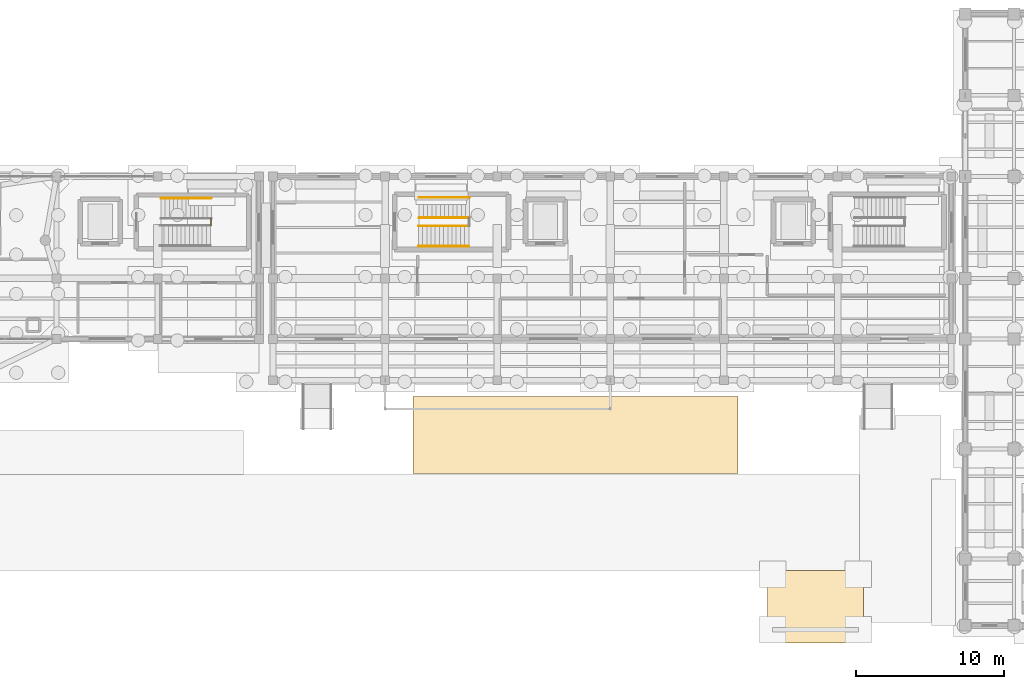
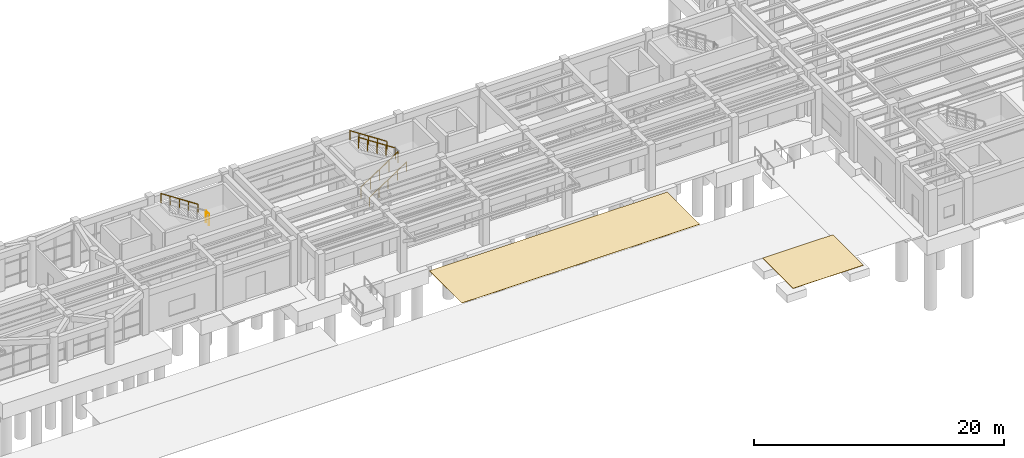
# One storey, part 38 of 41: 6 railings, 2 coverings.
"""IFC4 building model written with IfcOpenShell, lengths in metres."""

from ifc_helpers import new_model, si_unit, direction, frame, origin, origin_2d, place, context, subcontext, project, spatial, rectangle, circle, extrude, material, layer, layer_set, type_object, element, save


model = new_model("IFC4")

# Units and contexts
model_context = context("Model", 3, precision=1e-05, world=origin(), true_north=direction((0.0, 1.0)))
body_context = subcontext(model_context, "Body", "Model", "MODEL_VIEW")
ifc_project = project(units=[si_unit("LENGTHUNIT", "METRE"), si_unit("AREAUNIT", "SQUARE_METRE"), si_unit("VOLUMEUNIT", "CUBIC_METRE"), si_unit("PLANEANGLEUNIT", "RADIAN"), si_unit("MASSUNIT", "GRAM", prefix="KILO")], contexts=[model_context])

# Site, building, storey
site_placement = place(None, origin())
site = spatial("IfcSite", under=ifc_project, at=site_placement, CompositionType="ELEMENT")
building_placement = place(site_placement, origin())
building = spatial("IfcBuilding", under=site, at=building_placement, Name="Candilejo Ridge Gondola Terminal", CompositionType="ELEMENT")
storey_placement = place(building_placement, origin())
storey = spatial("IfcBuildingStorey", under=building, at=storey_placement, Name="L00", CompositionType="ELEMENT", Elevation=0.0)

# Railings
ifc_material_1 = material(Name="Hot-dip galvanised steel ASTM A500 Grade B", Category="steel")
railing_type_1 = type_object("IfcRailingType", Name="ARC-STAIR-GUARD-1100", PredefinedType="GUARDRAIL", material=ifc_material_1)
railing_1_placement = place(storey_placement, frame((82.800048828125, 33.385009765625, 2.25)))
element("IfcRailing", 1, at=railing_1_placement, inside=storey, type_object=railing_type_1, Name="Half-landing slot guard ST-V2B-LND-01", PredefinedType="GUARDRAIL", context=body_context, shape_type="SweptSolid", body=[
    extrude(circle(Radius=0.02392578125, at=origin_2d()), frame((0.0, 0.0, 1.076171875), z_axis=(0.0, 1.0, 0.0), x_axis=(-1.0, 0.0, 0.0)), (0.0, 0.0, 1.0), 0.47998046875),
    extrude(circle(Radius=0.02099609375, at=origin_2d()), origin(), (0.0, 0.0, 1.0), 1.052001953125),
    extrude(circle(Radius=0.02099609375, at=origin_2d()), frame((0.0, 0.47998046875, 0.0)), (0.0, 0.0, 1.0), 1.052001953125),
])
railing_2_placement = place(storey_placement, frame((96.85009765625, 33.347412109375, 0.0)))
element("IfcRailing", 2, at=railing_2_placement, inside=storey, type_object=railing_type_1, Name="Flight well guard ST-V3A-F01", PredefinedType="GUARDRAIL", context=body_context, shape_type="SweptSolid", body=[
    extrude(circle(Radius=0.02392578125, at=origin_2d()), frame((0.0, 0.0, 1.076171875), z_axis=(0.835411317272, 0.0, 0.549625264133), x_axis=(0.0, 1.0, 0.0)), (0.0, 0.0, 1.0), 4.09375),
    extrude(circle(Radius=0.02099609375, at=origin_2d()), origin(), (0.0, 0.0, 1.0), 1.052001953125),
    extrude(circle(Radius=0.02099609375, at=origin_2d()), frame((0.85498046875, 0.0, 0.5625)), (0.0, 0.0, 1.0), 1.052001953125),
    extrude(circle(Radius=0.02099609375, at=origin_2d()), frame((1.7099609375, 0.0, 1.125)), (0.0, 0.0, 1.0), 1.052001953125),
    extrude(circle(Radius=0.02099609375, at=origin_2d()), frame((2.56494140625, 0.0, 1.6875)), (0.0, 0.0, 1.0), 1.052001953125),
    extrude(circle(Radius=0.02099609375, at=origin_2d()), frame((3.419921875, 0.0, 2.25)), (0.0, 0.0, 1.0), 1.052001953125),
])
railing_3_placement = place(storey_placement, frame((100.330078125, 33.902587890625, 2.25)))
element("IfcRailing", 3, at=railing_3_placement, inside=storey, type_object=railing_type_1, Name="Flight well guard ST-V3A-F02", PredefinedType="GUARDRAIL", context=body_context, shape_type="SweptSolid", body=[
    extrude(circle(Radius=0.02392578125, at=origin_2d()), frame((0.0, 0.0, 1.076171875), z_axis=(-0.835429331894, 0.0, 0.549597881557), x_axis=(0.0, -1.0, 0.0)), (0.0, 0.0, 1.0), 4.093994140625),
    extrude(circle(Radius=0.02099609375, at=origin_2d()), origin(), (0.0, 0.0, 1.0), 1.052001953125),
    extrude(circle(Radius=0.02099609375, at=origin_2d()), frame((-0.85498046875, 0.0, 0.5625)), (0.0, 0.0, 1.0), 1.052001953125),
    extrude(circle(Radius=0.02099609375, at=origin_2d()), frame((-1.7099609375, 0.0, 1.125)), (0.0, 0.0, 1.0), 1.052001953125),
    extrude(circle(Radius=0.02099609375, at=origin_2d()), frame((-2.565185546875, 0.0, 1.6875)), (0.0, 0.0, 1.0), 1.052001953125),
    extrude(circle(Radius=0.02099609375, at=origin_2d()), frame((-3.420166015625, 0.0, 2.25)), (0.0, 0.0, 1.0), 1.052001953125),
])
ifc_material_2 = material(Name="Brushed stainless steel AISI 316", Category="steel")
railing_type_2 = type_object("IfcRailingType", Name="ARC-STAIR-HANDRAIL-920", PredefinedType="HANDRAIL", material=ifc_material_2)
railing_4_placement = place(storey_placement, frame((82.830078125, 35.235107421875, 2.25)))
element("IfcRailing", 4, at=railing_4_placement, inside=storey, type_object=railing_type_2, Name="Wall handrail ST-V2B-F02", PredefinedType="HANDRAIL", context=body_context, shape_type="SweptSolid", body=[
    extrude(circle(Radius=0.02392578125, at=origin_2d()), frame((0.0, 0.0, 0.89599609375), z_axis=(-0.835429331894, 0.0, 0.549597881557), x_axis=(0.0, -1.0, 0.0)), (0.0, 0.0, 1.0), 4.093994140625),
    extrude(circle(Radius=0.02099609375, at=origin_2d()), origin(), (0.0, 0.0, 1.0), 0.871826171875),
    extrude(circle(Radius=0.02099609375, at=origin_2d()), frame((-0.85498046875, 0.0, 0.5625)), (0.0, 0.0, 1.0), 0.871826171875),
    extrude(circle(Radius=0.02099609375, at=origin_2d()), frame((-1.7099609375, 0.0, 1.125)), (0.0, 0.0, 1.0), 0.871826171875),
    extrude(circle(Radius=0.02099609375, at=origin_2d()), frame((-2.565185546875, 0.0, 1.6875)), (0.0, 0.0, 1.0), 0.871826171875),
    extrude(circle(Radius=0.02099609375, at=origin_2d()), frame((-3.420166015625, 0.0, 2.25)), (0.0, 0.0, 1.0), 0.871826171875),
])
railing_5_placement = place(storey_placement, frame((96.85009765625, 31.9775390625, 0.0)))
element("IfcRailing", 5, at=railing_5_placement, inside=storey, type_object=railing_type_2, Name="Wall handrail ST-V3A-F01", PredefinedType="HANDRAIL", context=body_context, shape_type="SweptSolid", body=[
    extrude(circle(Radius=0.02392578125, at=origin_2d()), frame((0.0, 0.0, 0.89599609375), z_axis=(0.835411317272, 0.0, 0.549625264133), x_axis=(0.0, 1.0, 0.0)), (0.0, 0.0, 1.0), 4.09375),
    extrude(circle(Radius=0.02099609375, at=origin_2d()), origin(), (0.0, 0.0, 1.0), 0.871826171875),
    extrude(circle(Radius=0.02099609375, at=origin_2d()), frame((0.85498046875, 0.0, 0.5625)), (0.0, 0.0, 1.0), 0.871826171875),
    extrude(circle(Radius=0.02099609375, at=origin_2d()), frame((1.7099609375, 0.0, 1.125)), (0.0, 0.0, 1.0), 0.871826171875),
    extrude(circle(Radius=0.02099609375, at=origin_2d()), frame((2.56494140625, 0.0, 1.6875)), (0.0, 0.0, 1.0), 0.871826171875),
    extrude(circle(Radius=0.02099609375, at=origin_2d()), frame((3.419921875, 0.0, 2.25)), (0.0, 0.0, 1.0), 0.871826171875),
])
railing_6_placement = place(storey_placement, frame((100.330078125, 35.2724609375, 2.25)))
element("IfcRailing", 6, at=railing_6_placement, inside=storey, type_object=railing_type_2, Name="Wall handrail ST-V3A-F02", PredefinedType="HANDRAIL", context=body_context, shape_type="SweptSolid", body=[
    extrude(circle(Radius=0.02392578125, at=origin_2d()), frame((0.0, 0.0, 0.89599609375), z_axis=(-0.835429331894, 0.0, 0.549597881557), x_axis=(0.0, -1.0, 0.0)), (0.0, 0.0, 1.0), 4.093994140625),
    extrude(circle(Radius=0.02099609375, at=origin_2d()), origin(), (0.0, 0.0, 1.0), 0.871826171875),
    extrude(circle(Radius=0.02099609375, at=origin_2d()), frame((-0.85498046875, 0.0, 0.5625)), (0.0, 0.0, 1.0), 0.871826171875),
    extrude(circle(Radius=0.02099609375, at=origin_2d()), frame((-1.7099609375, 0.0, 1.125)), (0.0, 0.0, 1.0), 0.871826171875),
    extrude(circle(Radius=0.02099609375, at=origin_2d()), frame((-2.565185546875, 0.0, 1.6875)), (0.0, 0.0, 1.0), 0.871826171875),
    extrude(circle(Radius=0.02099609375, at=origin_2d()), frame((-3.420166015625, 0.0, 2.25)), (0.0, 0.0, 1.0), 0.871826171875),
])

# Coverings
ifc_material_3 = material(Name="Heavy-duty polymer-modified asphalt busway wearing course", Category="asphalt")
ifc_layer = layer(ifc_material_3, 0.030029296875)
ifc_layer_set = layer_set([ifc_layer], Name="CIV-COV-BUSWAY-ASPHALT")
covering_type = type_object("IfcCoveringType", Name="CIV-COV-BUSWAY-ASPHALT", PredefinedType="USERDEFINED", material=ifc_layer_set)
covering_1_placement = place(storey_placement, frame((123.75, 7.550048828125, -0.02978515625), z_axis=(0.0, 0.0, 1.0), x_axis=(1.0, 0.0, 0.0)))
element("IfcCovering", 7, at=covering_1_placement, inside=storey, type_object=covering_type, Name="Transit busway asphalt wearing course RD-EXIT", ObjectType="ROADWAY", PredefinedType="USERDEFINED", context=body_context, shape_type="SweptSolid", body=[
    extrude(rectangle(XDim=6.5, YDim=4.89990234375, at=origin_2d()), origin(), (0.0, 0.0, 1.0), 0.030029296875),
])
covering_2_placement = place(storey_placement, frame((107.5, 19.199951171875, -0.02978515625), z_axis=(0.0, 0.0, 1.0), x_axis=(1.0, 0.0, 0.0)))
element("IfcCovering", 8, at=covering_2_placement, inside=storey, type_object=covering_type, Name="Transit busway asphalt wearing course RD-LOAD-01", ObjectType="ROADWAY", PredefinedType="USERDEFINED", context=body_context, shape_type="SweptSolid", body=[
    extrude(rectangle(XDim=22.0, YDim=5.199951171875, at=origin_2d()), origin(), (0.0, 0.0, 1.0), 0.030029296875),
])

save(model, "model.ifc")
